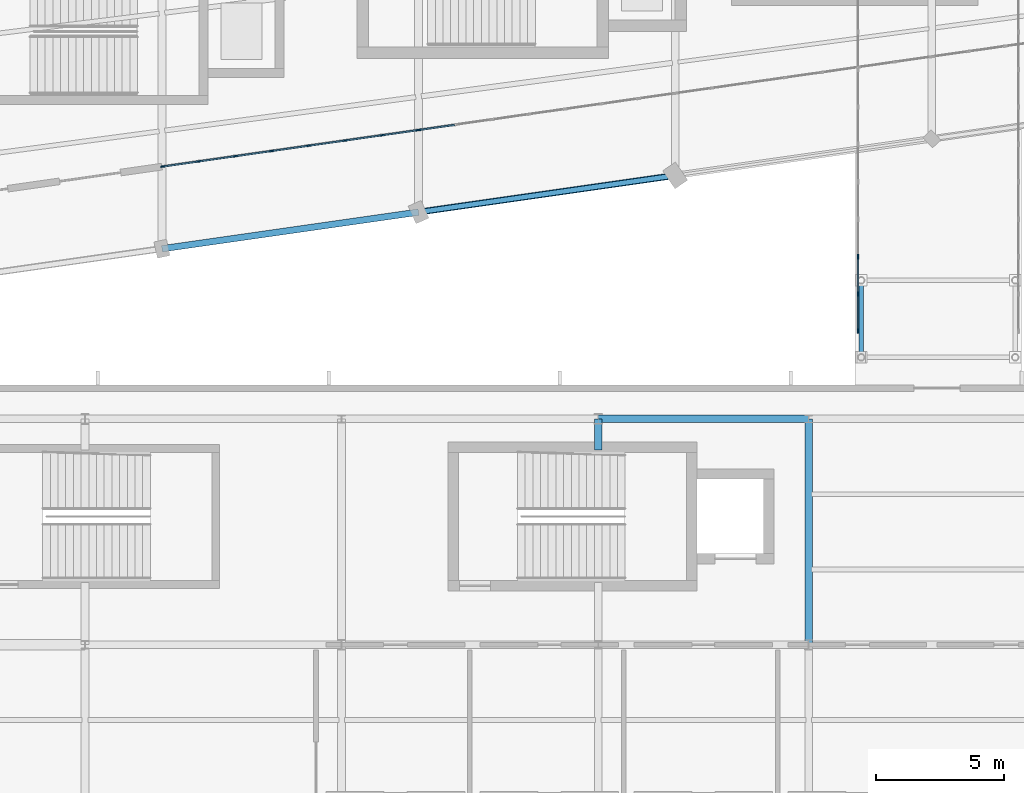
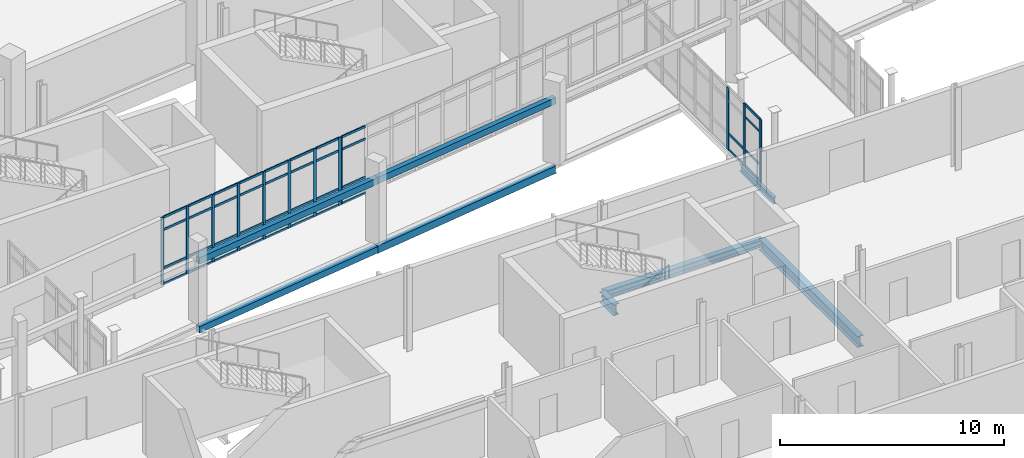
# One storey, part 39 of 122: 50 members, 8 beams, 3 elements without a shape of their own.
"""IFC4 building model written with IfcOpenShell, lengths in metres."""

from ifc_helpers import new_model, si_unit, direction, frame, origin, origin_2d, place, context, subcontext, project, spatial, rectangle, hollow_rectangle, i_section, extrude, material, layer, layer_set, material_profile, profile_set, type_object, element, aggregate, save


model = new_model("IFC4")

# Units and contexts
model_context = context("Model", 3, precision=1e-05, world=origin(), true_north=direction((0.0, 1.0)))
body_context = subcontext(model_context, "Body", "Model", "MODEL_VIEW")
ifc_project = project(units=[si_unit("LENGTHUNIT", "METRE"), si_unit("AREAUNIT", "SQUARE_METRE"), si_unit("VOLUMEUNIT", "CUBIC_METRE"), si_unit("PLANEANGLEUNIT", "RADIAN"), si_unit("MASSUNIT", "GRAM", prefix="KILO")], contexts=[model_context])

# Site, building, storey
site_placement = place(None, origin())
site = spatial("IfcSite", under=ifc_project, at=site_placement, CompositionType="ELEMENT")
building_placement = place(site_placement, origin())
building = spatial("IfcBuilding", under=site, at=building_placement, Name="Sohan Crest Arena", CompositionType="ELEMENT")
storey_placement = place(building_placement, origin())
storey = spatial("IfcBuildingStorey", under=building, at=storey_placement, Name="L00", CompositionType="ELEMENT", Elevation=0.0)

# Curtain wall, members
ifc_material_1 = material(Name="Thermally broken anodised aluminium", Category="aluminium")
ifc_layer_1 = layer(ifc_material_1, 0.179931640625, Name="Thermally broken anodised aluminium")
ifc_layer_set_1 = layer_set([ifc_layer_1], Name="Thermally broken anodised aluminium")
curtain_wall_type_1 = type_object("IfcCurtainWallType", Name="ARC-CW01", PredefinedType="NOTDEFINED", material=ifc_layer_set_1)
curtain_wall_1_placement = place(storey_placement, origin())
curtain_wall_1 = element("IfcCurtainWall", 1, at=curtain_wall_1_placement, inside=storey, type_object=curtain_wall_type_1, Name="Unitised curtain wall CW-008", PredefinedType="NOTDEFINED")
ifc_material_profile_1 = material_profile(ifc_material_1, rectangle(XDim=0.06005859375, YDim=0.159912109375, at=origin_2d()), Name="ALU-MULL 60x160")
ifc_profile_set_1 = profile_set([ifc_material_profile_1], Name="Thermally broken anodised aluminium")
member_type_1 = type_object("IfcMemberType", Name="ARC-CW-ML01", PredefinedType="MULLION", material=ifc_profile_set_1)
member_1_placement = place(storey_placement, frame((108.02978515625, 34.63330078125, 0.0), z_axis=(0.0, 0.0, 1.0), x_axis=(-0.141365918403, 0.989957411768, 0.0)))
member_1 = element("IfcMember", 2, at=member_1_placement, type_object=member_type_1, Name="CW-008 mullion 1", PredefinedType="MULLION", context=body_context, shape_type="SweptSolid", body=[
    extrude(rectangle(XDim=0.06005859375, YDim=0.159912109375, at=origin_2d()), origin(), (0.0, 0.0, 1.0), 3.679931640625),
])
member_2_placement = place(storey_placement, frame((109.428466796875, 34.8330078125, 0.0), z_axis=(0.0, 0.0, 1.0), x_axis=(-0.141365918403, 0.989957411768, 0.0)))
member_2 = element("IfcMember", 3, at=member_2_placement, type_object=member_type_1, Name="CW-008 mullion 2", PredefinedType="MULLION", context=body_context, shape_type="SweptSolid", body=[
    extrude(rectangle(XDim=0.06005859375, YDim=0.159912109375, at=origin_2d()), origin(), (0.0, 0.0, 1.0), 3.679931640625),
])
member_3_placement = place(storey_placement, frame((110.857177734375, 35.037109375, 0.0), z_axis=(0.0, 0.0, 1.0), x_axis=(-0.141365918403, 0.989957411768, 0.0)))
member_3 = element("IfcMember", 4, at=member_3_placement, type_object=member_type_1, Name="CW-008 mullion 3", PredefinedType="MULLION", context=body_context, shape_type="SweptSolid", body=[
    extrude(rectangle(XDim=0.06005859375, YDim=0.159912109375, at=origin_2d()), origin(), (0.0, 0.0, 1.0), 3.679931640625),
])
member_4_placement = place(storey_placement, frame((112.28564453125, 35.240966796875, 0.0), z_axis=(0.0, 0.0, 1.0), x_axis=(-0.141365918403, 0.989957411768, 0.0)))
member_4 = element("IfcMember", 5, at=member_4_placement, type_object=member_type_1, Name="CW-008 mullion 4", PredefinedType="MULLION", context=body_context, shape_type="SweptSolid", body=[
    extrude(rectangle(XDim=0.06005859375, YDim=0.159912109375, at=origin_2d()), origin(), (0.0, 0.0, 1.0), 3.679931640625),
])
member_5_placement = place(storey_placement, frame((113.71435546875, 35.445068359375, 0.0), z_axis=(0.0, 0.0, 1.0), x_axis=(-0.141365918403, 0.989957411768, 0.0)))
member_5 = element("IfcMember", 6, at=member_5_placement, type_object=member_type_1, Name="CW-008 mullion 5", PredefinedType="MULLION", context=body_context, shape_type="SweptSolid", body=[
    extrude(rectangle(XDim=0.06005859375, YDim=0.159912109375, at=origin_2d()), origin(), (0.0, 0.0, 1.0), 3.679931640625),
])
member_6_placement = place(storey_placement, frame((115.142822265625, 35.64892578125, 0.0), z_axis=(0.0, 0.0, 1.0), x_axis=(-0.141365918403, 0.989957411768, 0.0)))
member_6 = element("IfcMember", 7, at=member_6_placement, type_object=member_type_1, Name="CW-008 mullion 6", PredefinedType="MULLION", context=body_context, shape_type="SweptSolid", body=[
    extrude(rectangle(XDim=0.06005859375, YDim=0.159912109375, at=origin_2d()), origin(), (0.0, 0.0, 1.0), 3.679931640625),
])
member_7_placement = place(storey_placement, frame((116.571533203125, 35.85302734375, 0.0), z_axis=(0.0, 0.0, 1.0), x_axis=(-0.141365918403, 0.989957411768, 0.0)))
member_7 = element("IfcMember", 8, at=member_7_placement, type_object=member_type_1, Name="CW-008 mullion 7", PredefinedType="MULLION", context=body_context, shape_type="SweptSolid", body=[
    extrude(rectangle(XDim=0.06005859375, YDim=0.159912109375, at=origin_2d()), origin(), (0.0, 0.0, 1.0), 3.679931640625),
])
member_8_placement = place(storey_placement, frame((117.97021484375, 36.052734375, 0.0), z_axis=(0.0, 0.0, 1.0), x_axis=(-0.141365918403, 0.989957411768, 0.0)))
member_8 = element("IfcMember", 9, at=member_8_placement, type_object=member_type_1, Name="CW-008 mullion 8", PredefinedType="MULLION", context=body_context, shape_type="SweptSolid", body=[
    extrude(rectangle(XDim=0.06005859375, YDim=0.159912109375, at=origin_2d()), origin(), (0.0, 0.0, 1.0), 3.679931640625),
])

# Curtain wall, member
curtain_wall_2_placement = place(storey_placement, origin())
curtain_wall_2 = element("IfcCurtainWall", 10, at=curtain_wall_2_placement, inside=storey, type_object=curtain_wall_type_1, Name="Unitised curtain wall CW-009", PredefinedType="NOTDEFINED")
member_9_placement = place(storey_placement, frame((118.02978515625, 36.061279296875, 0.0), z_axis=(0.0, 0.0, 1.0), x_axis=(-0.141462933734, 0.989943553128, 0.0)))
member_9 = element("IfcMember", 11, at=member_9_placement, type_object=member_type_1, Name="CW-009 mullion 1", PredefinedType="MULLION", context=body_context, shape_type="SweptSolid", body=[
    extrude(rectangle(XDim=0.06005859375, YDim=0.159912109375, at=origin_2d()), origin(), (0.0, 0.0, 1.0), 3.679931640625),
])

# Curtain wall, members
ifc_layer_2 = layer(ifc_material_1, 0.18994140625, Name="Thermally broken anodised aluminium")
ifc_layer_set_2 = layer_set([ifc_layer_2], Name="Thermally broken anodised aluminium")
curtain_wall_type_2 = type_object("IfcCurtainWallType", Name="ARC-CW05", PredefinedType="NOTDEFINED", material=ifc_layer_set_2)
curtain_wall_3_placement = place(storey_placement, origin())
curtain_wall_3 = element("IfcCurtainWall", 12, at=curtain_wall_3_placement, inside=storey, type_object=curtain_wall_type_2, Name="Unitised curtain wall CW-253", PredefinedType="NOTDEFINED")
ifc_material_profile_2 = material_profile(ifc_material_1, rectangle(XDim=0.06494140625, YDim=0.179931640625, at=origin_2d()), Name="ALU-MULL 65x180")
ifc_profile_set_2 = profile_set([ifc_material_profile_2], Name="Thermally broken anodised aluminium")
member_type_2 = type_object("IfcMemberType", Name="ARC-CW-ML02", PredefinedType="MULLION", material=ifc_profile_set_2)
member_10_placement = place(storey_placement, frame((135.1201171875, 28.232421875, 0.0), z_axis=(0.0, 0.0, 1.0), x_axis=(-1.0, 0.0, 0.0)))
member_10 = element("IfcMember", 13, at=member_10_placement, type_object=member_type_2, Name="CW-253 mullion 1", PredefinedType="MULLION", context=body_context, shape_type="SweptSolid", body=[
    extrude(rectangle(XDim=0.06494140625, YDim=0.179931640625, at=origin_2d()), origin(), (0.0, 0.0, 1.0), 3.39990234375),
])
member_11_placement = place(storey_placement, frame((135.1201171875, 29.659912109375, 0.0), z_axis=(0.0, 0.0, 1.0), x_axis=(-1.0, 0.0, 0.0)))
member_11 = element("IfcMember", 14, at=member_11_placement, type_object=member_type_2, Name="CW-253 mullion 2", PredefinedType="MULLION", context=body_context, shape_type="SweptSolid", body=[
    extrude(rectangle(XDim=0.06494140625, YDim=0.179931640625, at=origin_2d()), origin(), (0.0, 0.0, 1.0), 3.39990234375),
])
member_12_placement = place(storey_placement, frame((135.1201171875, 31.1201171875, 0.0), z_axis=(0.0, 0.0, 1.0), x_axis=(-1.0, 0.0, 0.0)))
member_12 = element("IfcMember", 15, at=member_12_placement, type_object=member_type_2, Name="CW-253 mullion 3", PredefinedType="MULLION", context=body_context, shape_type="SweptSolid", body=[
    extrude(rectangle(XDim=0.06494140625, YDim=0.179931640625, at=origin_2d()), origin(), (0.0, 0.0, 1.0), 3.39990234375),
])

# Member
ifc_material_profile_3 = material_profile(ifc_material_1, rectangle(XDim=0.06005859375, YDim=0.1201171875, at=origin_2d()), Name="ALU-TRAN 60x120")
ifc_profile_set_3 = profile_set([ifc_material_profile_3], Name="Thermally broken anodised aluminium")
member_type_3 = type_object("IfcMemberType", Name="ARC-CW-TR01", PredefinedType="USERDEFINED", material=ifc_profile_set_3)
member_13_placement = place(storey_placement, frame((108.059326171875, 34.637451171875, 0.030029296875), z_axis=(0.989945885007, 0.141446614515, 0.0), x_axis=(-0.141446614515, 0.989945885007, 0.0)))
member_13 = element("IfcMember", 16, at=member_13_placement, type_object=member_type_3, Name="CW-008 transom 1.1", ObjectType="TRANSOM", PredefinedType="USERDEFINED", context=body_context, shape_type="SweptSolid", body=[
    extrude(rectangle(XDim=0.06005859375, YDim=0.1201171875, at=origin_2d()), origin(), (0.0, 0.0, 1.0), 1.353271484375),
])

member_14_placement = place(storey_placement, frame((108.059326171875, 34.637451171875, 0.89990234375), z_axis=(0.989945885007, 0.141446614515, 0.0), x_axis=(-0.141446614515, 0.989945885007, 0.0)))
member_14 = element("IfcMember", 17, at=member_14_placement, type_object=member_type_3, Name="CW-008 transom 1.2", ObjectType="TRANSOM", PredefinedType="USERDEFINED", context=body_context, shape_type="SweptSolid", body=[
    extrude(rectangle(XDim=0.06005859375, YDim=0.1201171875, at=origin_2d()), origin(), (0.0, 0.0, 1.0), 1.353271484375),
])

member_15_placement = place(storey_placement, frame((108.059326171875, 34.637451171875, 2.97998046875), z_axis=(0.989945885007, 0.141446614515, 0.0), x_axis=(-0.141446614515, 0.989945885007, 0.0)))
member_15 = element("IfcMember", 18, at=member_15_placement, type_object=member_type_3, Name="CW-008 transom 1.3", ObjectType="TRANSOM", PredefinedType="USERDEFINED", context=body_context, shape_type="SweptSolid", body=[
    extrude(rectangle(XDim=0.06005859375, YDim=0.1201171875, at=origin_2d()), origin(), (0.0, 0.0, 1.0), 1.353271484375),
])

member_16_placement = place(storey_placement, frame((108.059326171875, 34.637451171875, 3.64990234375), z_axis=(0.989945885007, 0.141446614515, 0.0), x_axis=(-0.141446614515, 0.989945885007, 0.0)))
member_16 = element("IfcMember", 19, at=member_16_placement, type_object=member_type_3, Name="CW-008 transom 1.4", ObjectType="TRANSOM", PredefinedType="USERDEFINED", context=body_context, shape_type="SweptSolid", body=[
    extrude(rectangle(XDim=0.06005859375, YDim=0.1201171875, at=origin_2d()), origin(), (0.0, 0.0, 1.0), 1.353271484375),
])

member_17_placement = place(storey_placement, frame((109.458251953125, 34.837158203125, 0.030029296875), z_axis=(0.989953023856, 0.141396642673, 0.0), x_axis=(-0.141396642673, 0.989953023856, 0.0)))
member_17 = element("IfcMember", 20, at=member_17_placement, type_object=member_type_3, Name="CW-008 transom 2.1", ObjectType="TRANSOM", PredefinedType="USERDEFINED", context=body_context, shape_type="SweptSolid", body=[
    extrude(rectangle(XDim=0.06005859375, YDim=0.1201171875, at=origin_2d()), origin(), (0.0, 0.0, 1.0), 1.383056640625),
])

member_18_placement = place(storey_placement, frame((109.458251953125, 34.837158203125, 0.89990234375), z_axis=(0.989953023856, 0.141396642673, 0.0), x_axis=(-0.141396642673, 0.989953023856, 0.0)))
member_18 = element("IfcMember", 21, at=member_18_placement, type_object=member_type_3, Name="CW-008 transom 2.2", ObjectType="TRANSOM", PredefinedType="USERDEFINED", context=body_context, shape_type="SweptSolid", body=[
    extrude(rectangle(XDim=0.06005859375, YDim=0.1201171875, at=origin_2d()), origin(), (0.0, 0.0, 1.0), 1.383056640625),
])

member_19_placement = place(storey_placement, frame((109.458251953125, 34.837158203125, 2.97998046875), z_axis=(0.989953023856, 0.141396642673, 0.0), x_axis=(-0.141396642673, 0.989953023856, 0.0)))
member_19 = element("IfcMember", 22, at=member_19_placement, type_object=member_type_3, Name="CW-008 transom 2.3", ObjectType="TRANSOM", PredefinedType="USERDEFINED", context=body_context, shape_type="SweptSolid", body=[
    extrude(rectangle(XDim=0.06005859375, YDim=0.1201171875, at=origin_2d()), origin(), (0.0, 0.0, 1.0), 1.383056640625),
])

member_20_placement = place(storey_placement, frame((109.458251953125, 34.837158203125, 3.64990234375), z_axis=(0.989953023856, 0.141396642673, 0.0), x_axis=(-0.141396642673, 0.989953023856, 0.0)))
member_20 = element("IfcMember", 23, at=member_20_placement, type_object=member_type_3, Name="CW-008 transom 2.4", ObjectType="TRANSOM", PredefinedType="USERDEFINED", context=body_context, shape_type="SweptSolid", body=[
    extrude(rectangle(XDim=0.06005859375, YDim=0.1201171875, at=origin_2d()), origin(), (0.0, 0.0, 1.0), 1.383056640625),
])

member_21_placement = place(storey_placement, frame((110.886962890625, 35.041259765625, 0.030029296875), z_axis=(0.989953023856, 0.141396642673, 0.0), x_axis=(-0.141396642673, 0.989953023856, 0.0)))
member_21 = element("IfcMember", 24, at=member_21_placement, type_object=member_type_3, Name="CW-008 transom 3.1", ObjectType="TRANSOM", PredefinedType="USERDEFINED", context=body_context, shape_type="SweptSolid", body=[
    extrude(rectangle(XDim=0.06005859375, YDim=0.1201171875, at=origin_2d()), origin(), (0.0, 0.0, 1.0), 1.383056640625),
])

member_22_placement = place(storey_placement, frame((110.886962890625, 35.041259765625, 0.89990234375), z_axis=(0.989953023856, 0.141396642673, 0.0), x_axis=(-0.141396642673, 0.989953023856, 0.0)))
member_22 = element("IfcMember", 25, at=member_22_placement, type_object=member_type_3, Name="CW-008 transom 3.2", ObjectType="TRANSOM", PredefinedType="USERDEFINED", context=body_context, shape_type="SweptSolid", body=[
    extrude(rectangle(XDim=0.06005859375, YDim=0.1201171875, at=origin_2d()), origin(), (0.0, 0.0, 1.0), 1.383056640625),
])

member_23_placement = place(storey_placement, frame((110.886962890625, 35.041259765625, 2.97998046875), z_axis=(0.989953023856, 0.141396642673, 0.0), x_axis=(-0.141396642673, 0.989953023856, 0.0)))
member_23 = element("IfcMember", 26, at=member_23_placement, type_object=member_type_3, Name="CW-008 transom 3.3", ObjectType="TRANSOM", PredefinedType="USERDEFINED", context=body_context, shape_type="SweptSolid", body=[
    extrude(rectangle(XDim=0.06005859375, YDim=0.1201171875, at=origin_2d()), origin(), (0.0, 0.0, 1.0), 1.383056640625),
])

member_24_placement = place(storey_placement, frame((110.886962890625, 35.041259765625, 3.64990234375), z_axis=(0.989953023856, 0.141396642673, 0.0), x_axis=(-0.141396642673, 0.989953023856, 0.0)))
member_24 = element("IfcMember", 27, at=member_24_placement, type_object=member_type_3, Name="CW-008 transom 3.4", ObjectType="TRANSOM", PredefinedType="USERDEFINED", context=body_context, shape_type="SweptSolid", body=[
    extrude(rectangle(XDim=0.06005859375, YDim=0.1201171875, at=origin_2d()), origin(), (0.0, 0.0, 1.0), 1.383056640625),
])

member_25_placement = place(storey_placement, frame((112.3154296875, 35.245361328125, 0.030029296875), z_axis=(0.989977718646, 0.14122364032, 0.0), x_axis=(-0.14122364032, 0.989977718646, 0.0)))
member_25 = element("IfcMember", 28, at=member_25_placement, type_object=member_type_3, Name="CW-008 transom 4.1", ObjectType="TRANSOM", PredefinedType="USERDEFINED", context=body_context, shape_type="SweptSolid", body=[
    extrude(rectangle(XDim=0.06005859375, YDim=0.1201171875, at=origin_2d()), origin(), (0.0, 0.0, 1.0), 1.383056640625),
])

member_26_placement = place(storey_placement, frame((112.3154296875, 35.245361328125, 0.89990234375), z_axis=(0.989977718646, 0.14122364032, 0.0), x_axis=(-0.14122364032, 0.989977718646, 0.0)))
member_26 = element("IfcMember", 29, at=member_26_placement, type_object=member_type_3, Name="CW-008 transom 4.2", ObjectType="TRANSOM", PredefinedType="USERDEFINED", context=body_context, shape_type="SweptSolid", body=[
    extrude(rectangle(XDim=0.06005859375, YDim=0.1201171875, at=origin_2d()), origin(), (0.0, 0.0, 1.0), 1.383056640625),
])

member_27_placement = place(storey_placement, frame((112.3154296875, 35.245361328125, 2.97998046875), z_axis=(0.989977718646, 0.14122364032, 0.0), x_axis=(-0.14122364032, 0.989977718646, 0.0)))
member_27 = element("IfcMember", 30, at=member_27_placement, type_object=member_type_3, Name="CW-008 transom 4.3", ObjectType="TRANSOM", PredefinedType="USERDEFINED", context=body_context, shape_type="SweptSolid", body=[
    extrude(rectangle(XDim=0.06005859375, YDim=0.1201171875, at=origin_2d()), origin(), (0.0, 0.0, 1.0), 1.383056640625),
])

member_28_placement = place(storey_placement, frame((112.3154296875, 35.245361328125, 3.64990234375), z_axis=(0.989977718646, 0.14122364032, 0.0), x_axis=(-0.14122364032, 0.989977718646, 0.0)))
member_28 = element("IfcMember", 31, at=member_28_placement, type_object=member_type_3, Name="CW-008 transom 4.4", ObjectType="TRANSOM", PredefinedType="USERDEFINED", context=body_context, shape_type="SweptSolid", body=[
    extrude(rectangle(XDim=0.06005859375, YDim=0.1201171875, at=origin_2d()), origin(), (0.0, 0.0, 1.0), 1.383056640625),
])

member_29_placement = place(storey_placement, frame((113.743896484375, 35.44921875, 0.030029296875), z_axis=(0.989953023856, 0.141396642673, 0.0), x_axis=(-0.141396642673, 0.989953023856, 0.0)))
member_29 = element("IfcMember", 32, at=member_29_placement, type_object=member_type_3, Name="CW-008 transom 5.1", ObjectType="TRANSOM", PredefinedType="USERDEFINED", context=body_context, shape_type="SweptSolid", body=[
    extrude(rectangle(XDim=0.06005859375, YDim=0.1201171875, at=origin_2d()), origin(), (0.0, 0.0, 1.0), 1.383056640625),
])

member_30_placement = place(storey_placement, frame((113.743896484375, 35.44921875, 0.89990234375), z_axis=(0.989953023856, 0.141396642673, 0.0), x_axis=(-0.141396642673, 0.989953023856, 0.0)))
member_30 = element("IfcMember", 33, at=member_30_placement, type_object=member_type_3, Name="CW-008 transom 5.2", ObjectType="TRANSOM", PredefinedType="USERDEFINED", context=body_context, shape_type="SweptSolid", body=[
    extrude(rectangle(XDim=0.06005859375, YDim=0.1201171875, at=origin_2d()), origin(), (0.0, 0.0, 1.0), 1.383056640625),
])

member_31_placement = place(storey_placement, frame((113.743896484375, 35.44921875, 2.97998046875), z_axis=(0.989953023856, 0.141396642673, 0.0), x_axis=(-0.141396642673, 0.989953023856, 0.0)))
member_31 = element("IfcMember", 34, at=member_31_placement, type_object=member_type_3, Name="CW-008 transom 5.3", ObjectType="TRANSOM", PredefinedType="USERDEFINED", context=body_context, shape_type="SweptSolid", body=[
    extrude(rectangle(XDim=0.06005859375, YDim=0.1201171875, at=origin_2d()), origin(), (0.0, 0.0, 1.0), 1.383056640625),
])

member_32_placement = place(storey_placement, frame((113.743896484375, 35.44921875, 3.64990234375), z_axis=(0.989953023856, 0.141396642673, 0.0), x_axis=(-0.141396642673, 0.989953023856, 0.0)))
member_32 = element("IfcMember", 35, at=member_32_placement, type_object=member_type_3, Name="CW-008 transom 5.4", ObjectType="TRANSOM", PredefinedType="USERDEFINED", context=body_context, shape_type="SweptSolid", body=[
    extrude(rectangle(XDim=0.06005859375, YDim=0.1201171875, at=origin_2d()), origin(), (0.0, 0.0, 1.0), 1.383056640625),
])

member_33_placement = place(storey_placement, frame((115.172607421875, 35.6533203125, 0.030029296875), z_axis=(0.989953023856, 0.141396642673, 0.0), x_axis=(-0.141396642673, 0.989953023856, 0.0)))
member_33 = element("IfcMember", 36, at=member_33_placement, type_object=member_type_3, Name="CW-008 transom 6.1", ObjectType="TRANSOM", PredefinedType="USERDEFINED", context=body_context, shape_type="SweptSolid", body=[
    extrude(rectangle(XDim=0.06005859375, YDim=0.1201171875, at=origin_2d()), origin(), (0.0, 0.0, 1.0), 1.383056640625),
])

member_34_placement = place(storey_placement, frame((115.172607421875, 35.6533203125, 0.89990234375), z_axis=(0.989953023856, 0.141396642673, 0.0), x_axis=(-0.141396642673, 0.989953023856, 0.0)))
member_34 = element("IfcMember", 37, at=member_34_placement, type_object=member_type_3, Name="CW-008 transom 6.2", ObjectType="TRANSOM", PredefinedType="USERDEFINED", context=body_context, shape_type="SweptSolid", body=[
    extrude(rectangle(XDim=0.06005859375, YDim=0.1201171875, at=origin_2d()), origin(), (0.0, 0.0, 1.0), 1.383056640625),
])

member_35_placement = place(storey_placement, frame((115.172607421875, 35.6533203125, 2.97998046875), z_axis=(0.989953023856, 0.141396642673, 0.0), x_axis=(-0.141396642673, 0.989953023856, 0.0)))
member_35 = element("IfcMember", 38, at=member_35_placement, type_object=member_type_3, Name="CW-008 transom 6.3", ObjectType="TRANSOM", PredefinedType="USERDEFINED", context=body_context, shape_type="SweptSolid", body=[
    extrude(rectangle(XDim=0.06005859375, YDim=0.1201171875, at=origin_2d()), origin(), (0.0, 0.0, 1.0), 1.383056640625),
])

member_36_placement = place(storey_placement, frame((115.172607421875, 35.6533203125, 3.64990234375), z_axis=(0.989953023856, 0.141396642673, 0.0), x_axis=(-0.141396642673, 0.989953023856, 0.0)))
member_36 = element("IfcMember", 39, at=member_36_placement, type_object=member_type_3, Name="CW-008 transom 6.4", ObjectType="TRANSOM", PredefinedType="USERDEFINED", context=body_context, shape_type="SweptSolid", body=[
    extrude(rectangle(XDim=0.06005859375, YDim=0.1201171875, at=origin_2d()), origin(), (0.0, 0.0, 1.0), 1.383056640625),
])

member_37_placement = place(storey_placement, frame((116.60107421875, 35.857177734375, 0.030029296875), z_axis=(0.989945885007, 0.141446614515, 0.0), x_axis=(-0.141446614515, 0.989945885007, 0.0)))
member_37 = element("IfcMember", 40, at=member_37_placement, type_object=member_type_3, Name="CW-008 transom 7.1", ObjectType="TRANSOM", PredefinedType="USERDEFINED", context=body_context, shape_type="SweptSolid", body=[
    extrude(rectangle(XDim=0.06005859375, YDim=0.1201171875, at=origin_2d()), origin(), (0.0, 0.0, 1.0), 1.353271484375),
])

member_38_placement = place(storey_placement, frame((116.60107421875, 35.857177734375, 0.89990234375), z_axis=(0.989945885007, 0.141446614515, 0.0), x_axis=(-0.141446614515, 0.989945885007, 0.0)))
member_38 = element("IfcMember", 41, at=member_38_placement, type_object=member_type_3, Name="CW-008 transom 7.2", ObjectType="TRANSOM", PredefinedType="USERDEFINED", context=body_context, shape_type="SweptSolid", body=[
    extrude(rectangle(XDim=0.06005859375, YDim=0.1201171875, at=origin_2d()), origin(), (0.0, 0.0, 1.0), 1.353271484375),
])

member_39_placement = place(storey_placement, frame((116.60107421875, 35.857177734375, 2.97998046875), z_axis=(0.989945885007, 0.141446614515, 0.0), x_axis=(-0.141446614515, 0.989945885007, 0.0)))
member_39 = element("IfcMember", 42, at=member_39_placement, type_object=member_type_3, Name="CW-008 transom 7.3", ObjectType="TRANSOM", PredefinedType="USERDEFINED", context=body_context, shape_type="SweptSolid", body=[
    extrude(rectangle(XDim=0.06005859375, YDim=0.1201171875, at=origin_2d()), origin(), (0.0, 0.0, 1.0), 1.353271484375),
])

member_40_placement = place(storey_placement, frame((116.60107421875, 35.857177734375, 3.64990234375), z_axis=(0.989945885007, 0.141446614515, 0.0), x_axis=(-0.141446614515, 0.989945885007, 0.0)))
member_40 = element("IfcMember", 43, at=member_40_placement, type_object=member_type_3, Name="CW-008 transom 7.4", ObjectType="TRANSOM", PredefinedType="USERDEFINED", context=body_context, shape_type="SweptSolid", body=[
    extrude(rectangle(XDim=0.06005859375, YDim=0.1201171875, at=origin_2d()), origin(), (0.0, 0.0, 1.0), 1.353271484375),
])

aggregate(curtain_wall_1, [member_1, member_2, member_3, member_4, member_5, member_6, member_7, member_8, member_13, member_14, member_15, member_16, member_17, member_18, member_19, member_20, member_21, member_22, member_23, member_24, member_25, member_26, member_27, member_28, member_29, member_30, member_31, member_32, member_33, member_34, member_35, member_36, member_37, member_38, member_39, member_40])

member_41_placement = place(storey_placement, frame((118.059326171875, 36.0654296875, 0.030029296875), z_axis=(0.989945885007, 0.141446614515, 0.0), x_axis=(-0.141446614515, 0.989945885007, 0.0)))
member_41 = element("IfcMember", 44, at=member_41_placement, type_object=member_type_3, Name="CW-009 transom 1.1", ObjectType="TRANSOM", PredefinedType="USERDEFINED", context=body_context, shape_type="SweptSolid", body=[
    extrude(rectangle(XDim=0.06005859375, YDim=0.1201171875, at=origin_2d()), origin(), (0.0, 0.0, 1.0), 1.353271484375),
])

member_42_placement = place(storey_placement, frame((118.059326171875, 36.0654296875, 0.89990234375), z_axis=(0.989945885007, 0.141446614515, 0.0), x_axis=(-0.141446614515, 0.989945885007, 0.0)))
member_42 = element("IfcMember", 45, at=member_42_placement, type_object=member_type_3, Name="CW-009 transom 1.2", ObjectType="TRANSOM", PredefinedType="USERDEFINED", context=body_context, shape_type="SweptSolid", body=[
    extrude(rectangle(XDim=0.06005859375, YDim=0.1201171875, at=origin_2d()), origin(), (0.0, 0.0, 1.0), 1.353271484375),
])

member_43_placement = place(storey_placement, frame((118.059326171875, 36.0654296875, 2.97998046875), z_axis=(0.989945885007, 0.141446614515, 0.0), x_axis=(-0.141446614515, 0.989945885007, 0.0)))
member_43 = element("IfcMember", 46, at=member_43_placement, type_object=member_type_3, Name="CW-009 transom 1.3", ObjectType="TRANSOM", PredefinedType="USERDEFINED", context=body_context, shape_type="SweptSolid", body=[
    extrude(rectangle(XDim=0.06005859375, YDim=0.1201171875, at=origin_2d()), origin(), (0.0, 0.0, 1.0), 1.353271484375),
])

member_44_placement = place(storey_placement, frame((118.059326171875, 36.0654296875, 3.64990234375), z_axis=(0.989945885007, 0.141446614515, 0.0), x_axis=(-0.141446614515, 0.989945885007, 0.0)))
member_44 = element("IfcMember", 47, at=member_44_placement, type_object=member_type_3, Name="CW-009 transom 1.4", ObjectType="TRANSOM", PredefinedType="USERDEFINED", context=body_context, shape_type="SweptSolid", body=[
    extrude(rectangle(XDim=0.06005859375, YDim=0.1201171875, at=origin_2d()), origin(), (0.0, 0.0, 1.0), 1.353271484375),
])

aggregate(curtain_wall_2, [member_9, member_41, member_42, member_43, member_44])

member_45_placement = place(storey_placement, frame((135.1201171875, 28.264892578125, 0.030029296875), z_axis=(0.0, 1.0, 0.0), x_axis=(-1.0, 0.0, 0.0)))
member_45 = element("IfcMember", 48, at=member_45_placement, type_object=member_type_3, Name="CW-253 transom 1.1", ObjectType="TRANSOM", PredefinedType="USERDEFINED", context=body_context, shape_type="SweptSolid", body=[
    extrude(rectangle(XDim=0.06005859375, YDim=0.1201171875, at=origin_2d()), origin(), (0.0, 0.0, 1.0), 1.362548828125),
])

member_46_placement = place(storey_placement, frame((135.1201171875, 28.264892578125, 0.89990234375), z_axis=(0.0, 1.0, 0.0), x_axis=(-1.0, 0.0, 0.0)))
member_46 = element("IfcMember", 49, at=member_46_placement, type_object=member_type_3, Name="CW-253 transom 1.2", ObjectType="TRANSOM", PredefinedType="USERDEFINED", context=body_context, shape_type="SweptSolid", body=[
    extrude(rectangle(XDim=0.06005859375, YDim=0.1201171875, at=origin_2d()), origin(), (0.0, 0.0, 1.0), 1.362548828125),
])

member_47_placement = place(storey_placement, frame((135.1201171875, 28.264892578125, 2.699951171875), z_axis=(0.0, 1.0, 0.0), x_axis=(-1.0, 0.0, 0.0)))
member_47 = element("IfcMember", 50, at=member_47_placement, type_object=member_type_3, Name="CW-253 transom 1.3", ObjectType="TRANSOM", PredefinedType="USERDEFINED", context=body_context, shape_type="SweptSolid", body=[
    extrude(rectangle(XDim=0.06005859375, YDim=0.1201171875, at=origin_2d()), origin(), (0.0, 0.0, 1.0), 1.362548828125),
])

member_48_placement = place(storey_placement, frame((135.1201171875, 28.264892578125, 3.3701171875), z_axis=(0.0, 1.0, 0.0), x_axis=(-1.0, 0.0, 0.0)))
member_48 = element("IfcMember", 51, at=member_48_placement, type_object=member_type_3, Name="CW-253 transom 1.4", ObjectType="TRANSOM", PredefinedType="USERDEFINED", context=body_context, shape_type="SweptSolid", body=[
    extrude(rectangle(XDim=0.06005859375, YDim=0.1201171875, at=origin_2d()), origin(), (0.0, 0.0, 1.0), 1.362548828125),
])

member_49_placement = place(storey_placement, frame((135.1201171875, 29.6923828125, 0.030029296875), z_axis=(0.0, 1.0, 0.0), x_axis=(-1.0, 0.0, 0.0)))
member_49 = element("IfcMember", 52, at=member_49_placement, type_object=member_type_3, Name="CW-253 transom 2.1", ObjectType="TRANSOM", PredefinedType="USERDEFINED", context=body_context, shape_type="SweptSolid", body=[
    extrude(rectangle(XDim=0.06005859375, YDim=0.1201171875, at=origin_2d()), origin(), (0.0, 0.0, 1.0), 1.39501953125),
])

member_50_placement = place(storey_placement, frame((135.1201171875, 29.6923828125, 0.89990234375), z_axis=(0.0, 1.0, 0.0), x_axis=(-1.0, 0.0, 0.0)))
member_50 = element("IfcMember", 53, at=member_50_placement, type_object=member_type_3, Name="CW-253 transom 2.2", ObjectType="TRANSOM", PredefinedType="USERDEFINED", context=body_context, shape_type="SweptSolid", body=[
    extrude(rectangle(XDim=0.06005859375, YDim=0.1201171875, at=origin_2d()), origin(), (0.0, 0.0, 1.0), 1.39501953125),
])

aggregate(curtain_wall_3, [member_10, member_11, member_12, member_45, member_46, member_47, member_48, member_49, member_50])

# Beams
ifc_material_2 = material(Name="Steel S355", Category="steel")
ifc_material_profile_4 = material_profile(ifc_material_2, i_section(OverallWidth=0.169921875, OverallDepth=0.360107421875, WebThickness=0.008056640625, FlangeThickness=0.0126953125, at=origin_2d()), Name="IPE 360")
ifc_profile_set_4 = profile_set([ifc_material_profile_4], Name="Steel S355")
beam_type_1 = type_object("IfcBeamType", Name="STR-BM-B02", PredefinedType="JOIST", material=ifc_profile_set_4)
beam_1_placement = place(storey_placement, frame((135.25, 27.199951171875, -0.455078125), z_axis=(0.0, 1.0, 0.0), x_axis=(-1.0, 0.0, 0.0)))
element("IfcBeam", 54, at=beam_1_placement, inside=storey, type_object=beam_type_1, Name="Structural beam BG-L00-3000", PredefinedType="JOIST", context=body_context, shape_type="SweptSolid", body=[
    extrude(i_section(OverallWidth=0.169921875, OverallDepth=0.360107421875, WebThickness=0.008056640625, FlangeThickness=0.0126953125, at=origin_2d()), origin(), (0.0, 0.0, 1.0), 3.0),
])
ifc_material_profile_5 = material_profile(ifc_material_2, i_section(OverallWidth=0.300048828125, OverallDepth=0.389892578125, WebThickness=0.010986328125, FlangeThickness=0.01904296875, at=origin_2d()), Name="HEA 400")
ifc_profile_set_5 = profile_set([ifc_material_profile_5], Name="Steel S355")
beam_type_2 = type_object("IfcBeamType", Name="STR-BM-B09", PredefinedType="BEAM", material=ifc_profile_set_5)
beam_2_placement = place(storey_placement, frame((125.0, 24.800048828125, -0.4951171875), z_axis=(1.0, 0.0, 0.0), x_axis=(0.0, 1.0, 0.0)))
element("IfcBeam", 55, at=beam_2_placement, inside=storey, type_object=beam_type_2, Name="Structural beam G-L00-2569", PredefinedType="BEAM", context=body_context, shape_type="SweptSolid", body=[
    extrude(i_section(OverallWidth=0.300048828125, OverallDepth=0.389892578125, WebThickness=0.010986328125, FlangeThickness=0.01904296875, at=origin_2d()), origin(), (0.0, 0.0, 1.0), 8.199951171875),
])
ifc_material_profile_6 = material_profile(ifc_material_2, i_section(OverallWidth=0.300048828125, OverallDepth=0.60009765625, WebThickness=0.015380859375, FlangeThickness=0.030029296875, at=origin_2d()), Name="HEB 600")
ifc_profile_set_6 = profile_set([ifc_material_profile_6], Name="Steel S355")
beam_type_3 = type_object("IfcBeamType", Name="STR-BM-B15", PredefinedType="BEAM", material=ifc_profile_set_6)
beam_3_placement = place(storey_placement, frame((125.0, 23.580078125, -0.60009765625), z_axis=(0.0, 1.0, 0.0), x_axis=(-1.0, 0.0, 0.0)))
element("IfcBeam", 56, at=beam_3_placement, inside=storey, type_object=beam_type_3, Name="Structural beam G-L00-2516", PredefinedType="BEAM", context=body_context, shape_type="SweptSolid", body=[
    extrude(i_section(OverallWidth=0.300048828125, OverallDepth=0.60009765625, WebThickness=0.015380859375, FlangeThickness=0.030029296875, at=origin_2d()), origin(), (0.0, 0.0, 1.0), 1.219970703125),
])
beam_4_placement = place(storey_placement, frame((133.199951171875, 16.0, -0.60009765625), z_axis=(0.0, 1.0, 0.0), x_axis=(-1.0, 0.0, 0.0)))
element("IfcBeam", 57, at=beam_4_placement, inside=storey, type_object=beam_type_3, Name="Structural beam G-L00-2518", PredefinedType="BEAM", context=body_context, shape_type="SweptSolid", body=[
    extrude(i_section(OverallWidth=0.300048828125, OverallDepth=0.60009765625, WebThickness=0.015380859375, FlangeThickness=0.030029296875, at=origin_2d()), origin(), (0.0, 0.0, 1.0), 8.800048828125),
])
ifc_material_profile_7 = material_profile(ifc_material_2, hollow_rectangle(XDim=0.25, YDim=0.35009765625, WallThickness=0.012451171875, at=origin_2d()), Name="RHS 350x250x12.5")
ifc_profile_set_7 = profile_set([ifc_material_profile_7], Name="Steel S355")
beam_type_4 = type_object("IfcBeamType", Name="STR-BM-SP04", PredefinedType="SPANDREL", material=ifc_profile_set_7)
for number, where, z_axis, x_axis, name in (
    (58, (108.0, 31.428955078125, -0.449951171875), (0.989957709412, 0.141363834042, 0.0), (-0.141363834042, 0.989957709412, 0.0), "Structural beam SP-L00-0969"),
    (59, (108.0, 31.428955078125, 3.300048828125), (0.989957709412, 0.141363834042, 0.0), (-0.141363834042, 0.989957709412, 0.0), "Structural beam ARC-L00-0970"),
    (60, (118.0, 32.85693359375, 3.300048828125), (0.989944175879, 0.141458575718, 0.0), (-0.141458575718, 0.989944175879, 0.0), "Structural beam ARC-L00-0976"),
):
    element("IfcBeam", number, at=place(storey_placement, frame(where, z_axis=z_axis, x_axis=x_axis)), inside=storey, type_object=beam_type_4, Name=name, PredefinedType="SPANDREL", context=body_context, shape_type="SweptSolid", body=[
        extrude(hollow_rectangle(XDim=0.25, YDim=0.35009765625, WallThickness=0.012451171875, at=origin_2d()), origin(), (0.0, 0.0, 1.0), 10.1015625),
    ])
ifc_material_profile_8 = material_profile(ifc_material_2, hollow_rectangle(XDim=0.199951171875, YDim=0.39990234375, WallThickness=0.012451171875, at=origin_2d()), Name="RHS 400x200x12.5")
ifc_profile_set_8 = profile_set([ifc_material_profile_8], Name="Steel S355")
beam_type_5 = type_object("IfcBeamType", Name="STR-BM-SP05", PredefinedType="SPANDREL", material=ifc_profile_set_8)
beam_5_placement = place(storey_placement, frame((118.0, 32.85693359375, -0.47509765625), z_axis=(0.989944175879, 0.141458575718, 0.0), x_axis=(-0.141458575718, 0.989944175879, 0.0)))
element("IfcBeam", 61, at=beam_5_placement, inside=storey, type_object=beam_type_5, Name="Structural beam SP-L00-0975", PredefinedType="SPANDREL", context=body_context, shape_type="SweptSolid", body=[
    extrude(hollow_rectangle(XDim=0.199951171875, YDim=0.39990234375, WallThickness=0.012451171875, at=origin_2d()), origin(), (0.0, 0.0, 1.0), 10.1015625),
])

save(model, "model.ifc")
